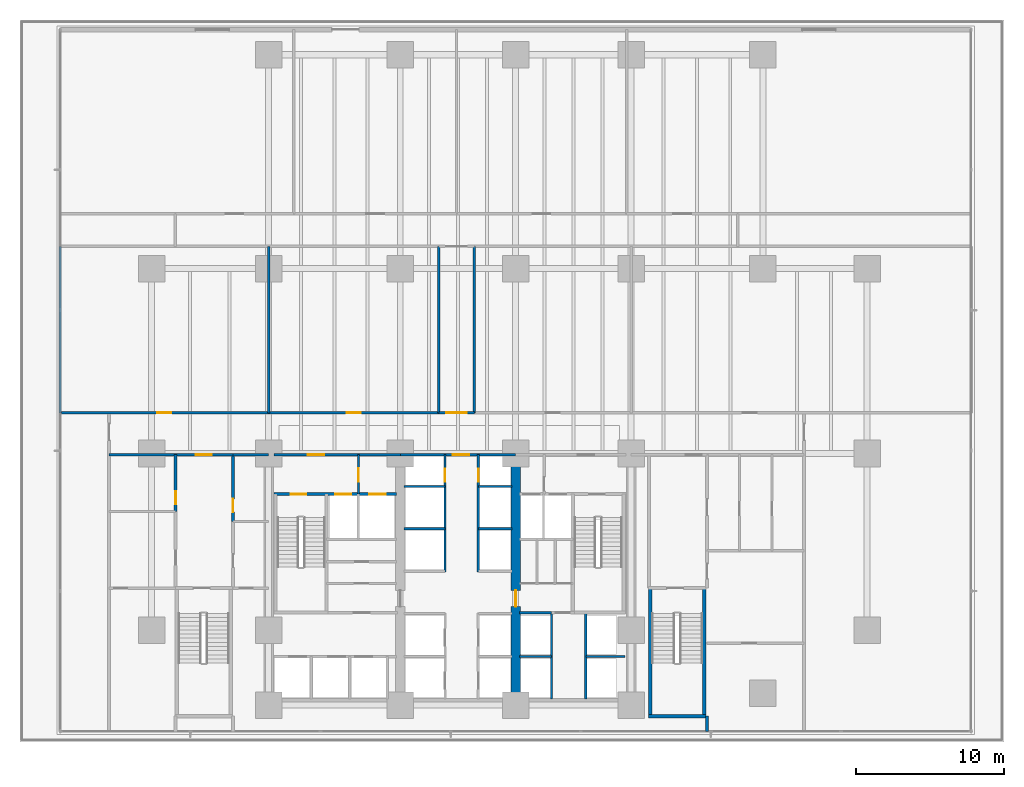
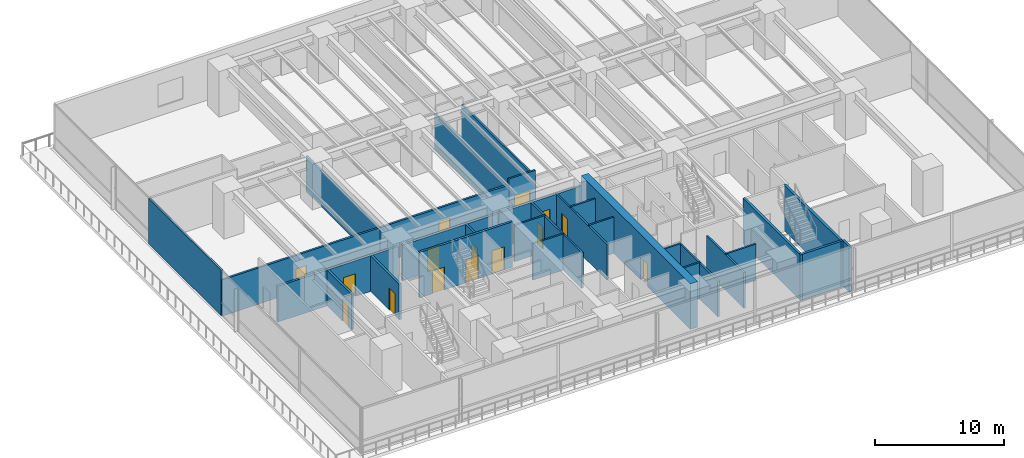
# One storey, part 11 of 26: 33 walls, 15 doors, 15 openings.
"""IFC4 building model written with IfcOpenShell, lengths in metres."""

from ifc_helpers import new_model, si_unit, direction, frame, frame_2d, origin, place, context, subcontext, project, spatial, rectangle, extrude, material, layer, layer_set, type_object, element, fill, save


model = new_model("IFC4")

# Units and contexts
model_context = context("Model", 3, precision=1e-05, world=origin(), true_north=direction((0.0, 1.0)))
body_context = subcontext(model_context, "Body", "Model", "MODEL_VIEW")
ifc_project = project(units=[si_unit("LENGTHUNIT", "METRE"), si_unit("AREAUNIT", "SQUARE_METRE"), si_unit("VOLUMEUNIT", "CUBIC_METRE"), si_unit("PLANEANGLEUNIT", "RADIAN"), si_unit("MASSUNIT", "GRAM", prefix="KILO")], contexts=[model_context])

# Site, building, storey
site_placement = place(None, origin())
site = spatial("IfcSite", under=ifc_project, at=site_placement, CompositionType="ELEMENT")
building_placement = place(site_placement, origin())
building = spatial("IfcBuilding", under=site, at=building_placement, Name="Qalmaran Belvedere Hotel", CompositionType="ELEMENT")
storey_placement = place(building_placement, frame((0.0, 0.0, 19.199951171875)))
storey = spatial("IfcBuildingStorey", under=building, at=storey_placement, Name="L04", CompositionType="ELEMENT", Elevation=19.199951171875)

# Wall, opening, door
ifc_material_1 = material(Name="Concrete C60/75", Category="concrete")
ifc_layer_1 = layer(ifc_material_1, 0.64990234375, Name="Concrete C60/75")
ifc_layer_set_1 = layer_set([ifc_layer_1], Name="Concrete C60/75")
wall_type_1 = type_object("IfcWallType", Name="WL-CORE-650-C60", PredefinedType="SHEAR", material=ifc_layer_set_1)
wall_1_placement = place(storey_placement, frame((37.0, 3.5, 0.0), z_axis=(0.0, 0.0, 1.0), x_axis=(0.0, 1.0, 0.0)))
wall_1 = element("IfcWall", 1, at=wall_1_placement, inside=storey, type_object=wall_type_1, Name="L04 Core East Spine Shear Wall", PredefinedType="SHEAR", context=body_context, shape_type="SweptSolid", body=[
    extrude(rectangle(XDim=16.89990234375, YDim=0.64990234375, at=frame_2d((8.449951171875, 0.0))), origin(), (0.0, 0.0, 1.0), 4.300048828125),
])
opening_1_placement = place(wall_1_placement, frame((6.64990234375, 0.0, 0.0)))
opening_1 = element("IfcOpeningElement", 2, at=opening_1_placement, cuts=wall_1, Name="Opening FD90", PredefinedType="OPENING", context=body_context, shape_type="SweptSolid", body=[
    extrude(rectangle(XDim=1.10009765625, YDim=2.14990234375, at=frame_2d((0.550048828125, 1.074951171875))), frame((0.0, 0.3349609375, 0.0), z_axis=(0.0, -1.0, 0.0), x_axis=(1.0, 0.0, 0.0)), (0.0, 0.0, 1.0), 0.669921875),
])
ifc_material_2 = material(Name="Steel S355JR", Category="steel")
door_type_1 = type_object("IfcDoorType", Name="DR-FD90-1100X2150", OperationType="NOTDEFINED", PredefinedType="DOOR", material=ifc_material_2)
door_1_placement = place(opening_1_placement, origin())
door_1 = element("IfcDoor", 3, at=door_1_placement, inside=storey, type_object=door_type_1, Name="L04 Core East Cross-Lobby Door", OperationType="SINGLE_SWING_LEFT", OverallHeight=2.14990234375, OverallWidth=1.10009765625, PredefinedType="DOOR", context=body_context, shape_type="SweptSolid", body=[
    extrude(rectangle(XDim=1.10009765625, YDim=2.14990234375, at=frame_2d((0.550048828125, 1.074951171875))), frame((0.0, 0.02490234375, 0.0), z_axis=(0.0, -1.0, 0.0), x_axis=(1.0, 0.0, 0.0)), (0.0, 0.0, 1.0), 0.050048828125),
])
fill(opening_1, door_1)

# Walls
ifc_material_3 = material(Name="Gypsum Stud Partition")
ifc_layer_2 = layer(ifc_material_3, 0.14990234375, Name="Gypsum Stud Partition")
ifc_layer_set_2 = layer_set([ifc_layer_2], Name="Gypsum Stud Partition")
wall_type_2 = type_object("IfcWallType", Name="WL-INT-150-EI120", PredefinedType="PARTITIONING", material=ifc_layer_set_2)
wall_2_placement = place(storey_placement, frame((37.25, 6.780029296875, 0.0), z_axis=(0.0, 0.0, 1.0), x_axis=(1.0, 0.0, 0.0)))
element("IfcWall", 4, at=wall_2_placement, inside=storey, type_object=wall_type_2, Name="L04 Partition WL-PHMW-L04", PredefinedType="PARTITIONING", context=body_context, shape_type="SweptSolid", body=[
    extrude(rectangle(XDim=2.169921875, YDim=0.14990234375, at=frame_2d((1.0849609375, 0.0))), origin(), (0.0, 0.0, 1.0), 3.429931640625),
])
wall_3_placement = place(storey_placement, frame((41.739990234375, 6.780029296875, 0.0), z_axis=(0.0, 0.0, 1.0), x_axis=(1.0, 0.0, 0.0)))
element("IfcWall", 5, at=wall_3_placement, inside=storey, type_object=wall_type_2, Name="L04 Partition WL-PHME-L04", PredefinedType="PARTITIONING", context=body_context, shape_type="SweptSolid", body=[
    extrude(rectangle(XDim=2.659912109375, YDim=0.14990234375, at=frame_2d((1.330078125, 0.0))), origin(), (0.0, 0.0, 1.0), 3.429931640625),
])
wall_4_placement = place(storey_placement, frame((29.449951171875, 15.419921875, 0.0), z_axis=(0.0, 0.0, 1.0), x_axis=(1.0, 0.0, 0.0)))
element("IfcWall", 6, at=wall_4_placement, inside=storey, type_object=wall_type_2, Name="L04 Partition WL-PMW-L04-154", PredefinedType="PARTITIONING", context=body_context, shape_type="SweptSolid", body=[
    extrude(rectangle(XDim=2.77001953125, YDim=0.14990234375, at=frame_2d((1.385009765625, 0.0))), origin(), (0.0, 0.0, 1.0), 3.429931640625),
])
wall_5_placement = place(storey_placement, frame((34.47998046875, 15.419921875, 0.0), z_axis=(0.0, 0.0, 1.0), x_axis=(1.0, 0.0, 0.0)))
element("IfcWall", 7, at=wall_5_placement, inside=storey, type_object=wall_type_2, Name="L04 Partition WL-PME-L04-154", PredefinedType="PARTITIONING", context=body_context, shape_type="SweptSolid", body=[
    extrude(rectangle(XDim=2.27001953125, YDim=0.14990234375, at=frame_2d((1.135009765625, 0.0))), origin(), (0.0, 0.0, 1.0), 3.429931640625),
])
wall_6_placement = place(storey_placement, frame((29.449951171875, 18.280029296875, 0.0), z_axis=(0.0, 0.0, 1.0), x_axis=(1.0, 0.0, 0.0)))
element("IfcWall", 8, at=wall_6_placement, inside=storey, type_object=wall_type_2, Name="L04 Partition WL-PMW-L04-182", PredefinedType="PARTITIONING", context=body_context, shape_type="SweptSolid", body=[
    extrude(rectangle(XDim=2.77001953125, YDim=0.14990234375, at=frame_2d((1.385009765625, 0.0))), origin(), (0.0, 0.0, 1.0), 3.429931640625),
])
wall_7_placement = place(storey_placement, frame((34.47998046875, 18.280029296875, 0.0), z_axis=(0.0, 0.0, 1.0), x_axis=(1.0, 0.0, 0.0)))
element("IfcWall", 9, at=wall_7_placement, inside=storey, type_object=wall_type_2, Name="L04 Partition WL-PME-L04-182", PredefinedType="PARTITIONING", context=body_context, shape_type="SweptSolid", body=[
    extrude(rectangle(XDim=2.27001953125, YDim=0.14990234375, at=frame_2d((1.135009765625, 0.0))), origin(), (0.0, 0.0, 1.0), 3.429931640625),
])

# Wall, opening, door
ifc_layer_3 = layer(ifc_material_3, 0.159912109375, Name="Gypsum Stud Partition")
ifc_layer_set_3 = layer_set([ifc_layer_3], Name="Gypsum Stud Partition")
wall_type_3 = type_object("IfcWallType", Name="WL-INT-160-EI120", PredefinedType="PARTITIONING", material=ifc_layer_set_3)
wall_8_placement = place(storey_placement, frame((26.3798828125, 17.760009765625, 0.0), z_axis=(0.0, 0.0, 1.0), x_axis=(0.0, 1.0, 0.0)))
wall_8 = element("IfcWall", 10, at=wall_8_placement, inside=storey, type_object=wall_type_3, Name="L04 Partition WL-FFSV1-L04", PredefinedType="PARTITIONING", context=body_context, shape_type="SweptSolid", body=[
    extrude(rectangle(XDim=2.659912109375, YDim=0.159912109375, at=frame_2d((1.330078125, 0.0))), origin(), (0.0, 0.0, 1.0), 3.373046875),
])
opening_2_placement = place(wall_8_placement, frame((0.85009765625, 0.0, 0.0)))
opening_2 = element("IfcOpeningElement", 11, at=opening_2_placement, cuts=wall_8, Name="Opening FD60B", PredefinedType="OPENING", context=body_context, shape_type="SweptSolid", body=[
    extrude(rectangle(XDim=0.8798828125, YDim=2.080078125, at=frame_2d((0.43994140625, 1.0400390625))), frame((0.0, 0.08984375, 0.0), z_axis=(0.0, -1.0, 0.0), x_axis=(1.0, 0.0, 0.0)), (0.0, 0.0, 1.0), 0.179931640625),
])
door_type_2 = type_object("IfcDoorType", Name="DR-FD60B-880X2080", OperationType="NOTDEFINED", PredefinedType="DOOR", material=ifc_material_2)
door_2_placement = place(opening_2_placement, origin())
door_2 = element("IfcDoor", 12, at=door_2_placement, inside=storey, type_object=door_type_2, Name="L04 Service Lobby West Door", OperationType="SINGLE_SWING_RIGHT", OverallHeight=2.080078125, OverallWidth=0.8798828125, PredefinedType="DOOR", context=body_context, shape_type="SweptSolid", body=[
    extrude(rectangle(XDim=0.8798828125, YDim=2.080078125, at=frame_2d((0.43994140625, 1.0400390625))), frame((0.0, 0.02490234375, 0.0), z_axis=(0.0, -1.0, 0.0), x_axis=(1.0, 0.0, 0.0)), (0.0, 0.0, 1.0), 0.050048828125),
])
fill(opening_2, door_2)

# Walls
for number, where, z_axis, x_axis, name in (
    (13, (39.419921875, 3.89990234375, 0.0), (0.0, 0.0, 1.0), (0.0, 1.0, 0.0), "L04 Partition WL-PHW-L04"),
    (14, (41.739990234375, 3.89990234375, 0.0), (0.0, 0.0, 1.0), (0.0, 1.0, 0.0), "L04 Partition WL-PHE-L04"),
):
    element("IfcWall", number, at=place(storey_placement, frame(where, z_axis=z_axis, x_axis=x_axis)), inside=storey, type_object=wall_type_3, Name=name, PredefinedType="PARTITIONING", context=body_context, shape_type="SweptSolid", body=[
        extrude(rectangle(XDim=5.840087890625, YDim=0.159912109375, at=frame_2d((2.919921875, 0.0))), origin(), (0.0, 0.0, 1.0), 3.373046875),
    ])
wall_9_placement = place(storey_placement, frame((37.25, 9.739990234375, 0.0), z_axis=(0.0, 0.0, 1.0), x_axis=(1.0, 0.0, 0.0)))
element("IfcWall", 15, at=wall_9_placement, inside=storey, type_object=wall_type_3, Name="L04 Partition WL-PHNW-L04", PredefinedType="PARTITIONING", context=body_context, shape_type="SweptSolid", body=[
    extrude(rectangle(XDim=2.169921875, YDim=0.159912109375, at=frame_2d((1.0849609375, 0.0))), origin(), (0.0, 0.0, 1.0), 3.429931640625),
])

# Wall, opening, door
wall_10_placement = place(storey_placement, frame((32.219970703125, 12.5, 0.0), z_axis=(0.0, 0.0, 1.0), x_axis=(0.0, 1.0, 0.0)))
wall_10 = element("IfcWall", 16, at=wall_10_placement, inside=storey, type_object=wall_type_3, Name="L04 Partition WL-CLBWN-L04", PredefinedType="PARTITIONING", context=body_context, shape_type="SweptSolid", body=[
    extrude(rectangle(XDim=7.919921875, YDim=0.159912109375, at=frame_2d((3.9599609375, 0.0))), origin(), (0.0, 0.0, 1.0), 3.373046875),
])
opening_3_placement = place(wall_10_placement, frame((6.10009765625, 0.0, 0.0)))
opening_3 = element("IfcOpeningElement", 17, at=opening_3_placement, cuts=wall_10, Name="Opening FD60B", PredefinedType="OPENING", context=body_context, shape_type="SweptSolid", body=[
    extrude(rectangle(XDim=0.8798828125, YDim=2.080078125, at=frame_2d((0.43994140625, 1.0400390625))), frame((0.0, 0.08984375, 0.0), z_axis=(0.0, -1.0, 0.0), x_axis=(1.0, 0.0, 0.0)), (0.0, 0.0, 1.0), 0.179931640625),
])
door_3_placement = place(opening_3_placement, origin())
door_3 = element("IfcDoor", 18, at=door_3_placement, inside=storey, type_object=door_type_2, Name="L04 West Riser Access Door", OperationType="SINGLE_SWING_RIGHT", OverallHeight=2.080078125, OverallWidth=0.8798828125, PredefinedType="DOOR", context=body_context, shape_type="SweptSolid", body=[
    extrude(rectangle(XDim=0.8798828125, YDim=2.080078125, at=frame_2d((0.43994140625, 1.0400390625))), frame((0.0, 0.02490234375, 0.0), z_axis=(0.0, -1.0, 0.0), x_axis=(1.0, 0.0, 0.0)), (0.0, 0.0, 1.0), 0.050048828125),
])
fill(opening_3, door_3)

wall_11_placement = place(storey_placement, frame((34.47998046875, 12.5, 0.0), z_axis=(0.0, 0.0, 1.0), x_axis=(0.0, 1.0, 0.0)))
wall_11 = element("IfcWall", 19, at=wall_11_placement, inside=storey, type_object=wall_type_3, Name="L04 Partition WL-CLBEN-L04", PredefinedType="PARTITIONING", context=body_context, shape_type="SweptSolid", body=[
    extrude(rectangle(XDim=7.919921875, YDim=0.159912109375, at=frame_2d((3.9599609375, 0.0))), origin(), (0.0, 0.0, 1.0), 3.373046875),
])
opening_4_placement = place(wall_11_placement, frame((6.97998046875, 0.0, 0.0), z_axis=(0.0, 0.0, 1.0), x_axis=(-1.0, 0.0, 0.0)))
opening_4 = element("IfcOpeningElement", 20, at=opening_4_placement, cuts=wall_11, Name="Opening FD60B", PredefinedType="OPENING", context=body_context, shape_type="SweptSolid", body=[
    extrude(rectangle(XDim=0.8798828125, YDim=2.080078125, at=frame_2d((0.43994140625, 1.0400390625))), frame((0.0, 0.08984375, 0.0), z_axis=(0.0, -1.0, 0.0), x_axis=(1.0, 0.0, 0.0)), (0.0, 0.0, 1.0), 0.179931640625),
])
door_4_placement = place(opening_4_placement, origin())
door_4 = element("IfcDoor", 21, at=door_4_placement, inside=storey, type_object=door_type_2, Name="L04 East Riser Access Door", OperationType="SINGLE_SWING_LEFT", OverallHeight=2.080078125, OverallWidth=0.8798828125, PredefinedType="DOOR", context=body_context, shape_type="SweptSolid", body=[
    extrude(rectangle(XDim=0.8798828125, YDim=2.080078125, at=frame_2d((0.43994140625, 1.0400390625))), frame((0.0, 0.02490234375, 0.0), z_axis=(0.0, -1.0, 0.0), x_axis=(1.0, 0.0, 0.0)), (0.0, 0.0, 1.0), 0.050048828125),
])
fill(opening_4, door_4)

ifc_layer_4 = layer(ifc_material_3, 0.159912109375, Name="Gypsum Stud Partition")
ifc_layer_set_4 = layer_set([ifc_layer_4], Name="Gypsum Stud Partition")
wall_type_4 = type_object("IfcWallType", Name="WL-INT-160-EI60", PredefinedType="PARTITIONING", material=ifc_layer_set_4)
wall_12_placement = place(storey_placement, frame((31.800048828125, 23.25, 0.0), z_axis=(0.0, 0.0, 1.0), x_axis=(1.0, 0.0, 0.0)))
wall_12 = element("IfcWall", 22, at=wall_12_placement, inside=storey, type_object=wall_type_4, Name="L04 Partition WL-L04-NALS", PredefinedType="PARTITIONING", context=body_context, shape_type="SweptSolid", body=[
    extrude(rectangle(XDim=2.39990234375, YDim=0.159912109375, at=frame_2d((1.199951171875, 0.0))), origin(), (0.0, 0.0, 1.0), 3.98193359375),
])
opening_5_placement = place(wall_12_placement, frame((0.5, 0.0, 0.0)))
opening_5 = element("IfcOpeningElement", 23, at=opening_5_placement, cuts=wall_12, Name="Opening FD90D", PredefinedType="OPENING", context=body_context, shape_type="SweptSolid", body=[
    extrude(rectangle(XDim=1.39990234375, YDim=2.199951171875, at=frame_2d((0.699951171875, 1.10009765625))), frame((0.0, 0.08984375, 0.0), z_axis=(0.0, -1.0, 0.0), x_axis=(1.0, 0.0, 0.0)), (0.0, 0.0, 1.0), 0.179931640625),
])
door_type_3 = type_object("IfcDoorType", Name="DR-FD90D-1400X2200", OperationType="NOTDEFINED", PredefinedType="DOOR", material=ifc_material_2)
door_5_placement = place(opening_5_placement, origin())
door_5 = element("IfcDoor", 24, at=door_5_placement, inside=storey, type_object=door_type_3, Name="L04 Atrium Link South Door", OperationType="DOUBLE_DOOR_SINGLE_SWING", OverallHeight=2.199951171875, OverallWidth=1.39990234375, PredefinedType="DOOR", context=body_context, shape_type="SweptSolid", body=[
    extrude(rectangle(XDim=1.39990234375, YDim=2.199951171875, at=frame_2d((0.699951171875, 1.10009765625))), frame((0.0, 0.02490234375, 0.0), z_axis=(0.0, -1.0, 0.0), x_axis=(1.0, 0.0, 0.0)), (0.0, 0.0, 1.0), 0.050048828125),
])
fill(opening_5, door_5)

# Walls
wall_13_placement = place(storey_placement, frame((6.219970703125, 23.25, 0.0), z_axis=(0.0, 0.0, 1.0), x_axis=(0.0, 1.0, 0.0)))
element("IfcWall", 25, at=wall_13_placement, inside=storey, type_object=wall_type_4, Name="L04 Partition WL-L04-PMWVL", PredefinedType="PARTITIONING", context=body_context, shape_type="SweptSolid", body=[
    extrude(rectangle(XDim=11.25, YDim=0.159912109375, at=frame_2d((5.625, 0.0))), origin(), (0.0, 0.0, 1.0), 4.300048828125),
])
for number, where, z_axis, x_axis, name in (
    (26, (20.300048828125, 23.25, 0.0), (0.0, 0.0, 1.0), (0.0, 1.0, 0.0), "L04 Partition WL-L04-PMWVR1"),
    (27, (31.800048828125, 23.25, 0.0), (0.0, 0.0, 1.0), (0.0, 1.0, 0.0), "L04 Partition WL-L04-PMWVR2"),
    (28, (34.199951171875, 23.25, 0.0), (0.0, 0.0, 1.0), (0.0, 1.0, 0.0), "L04 Partition WL-L04-PMEVL"),
):
    element("IfcWall", number, at=place(storey_placement, frame(where, z_axis=z_axis, x_axis=x_axis)), inside=storey, type_object=wall_type_4, Name=name, PredefinedType="PARTITIONING", context=body_context, shape_type="SweptSolid", body=[
        extrude(rectangle(XDim=11.25, YDim=0.159912109375, at=frame_2d((5.625, 0.0))), origin(), (0.0, 0.0, 1.0), 3.373046875),
    ])
ifc_layer_5 = layer(ifc_material_3, 0.179931640625, Name="Gypsum Stud Partition")
ifc_layer_set_5 = layer_set([ifc_layer_5], Name="Gypsum Stud Partition")
wall_type_5 = type_object("IfcWallType", Name="WL-INT-180-EI60", PredefinedType="PARTITIONING", material=ifc_layer_set_5)
wall_14_placement = place(storey_placement, frame((17.89990234375, 20.419921875, 0.0), z_axis=(0.0, 0.0, 1.0), x_axis=(1.0, 0.0, 0.0)))
element("IfcWall", 29, at=wall_14_placement, inside=storey, type_object=wall_type_5, Name="L04 Partition WL-L04-SFGN", PredefinedType="PARTITIONING", context=body_context, shape_type="SweptSolid", body=[
    extrude(rectangle(XDim=2.400146484375, YDim=0.179931640625, at=frame_2d((1.2001953125, 0.0))), origin(), (0.0, 0.0, 1.0), 3.373046875),
])

# Wall, opening, door
wall_15_placement = place(storey_placement, frame((6.219970703125, 23.25, 0.0), z_axis=(0.0, 0.0, 1.0), x_axis=(1.0, 0.0, 0.0)))
wall_15 = element("IfcWall", 30, at=wall_15_placement, inside=storey, type_object=wall_type_5, Name="L04 Partition WL-L04-PMWD1", PredefinedType="PARTITIONING", context=body_context, shape_type="SweptSolid", body=[
    extrude(rectangle(XDim=14.080078125, YDim=0.179931640625, at=frame_2d((7.0400390625, 0.0))), origin(), (0.0, 0.0, 1.0), 3.429931640625),
])
opening_6_placement = place(wall_15_placement, frame((6.56494140625, 0.0, 0.0)))
opening_6 = element("IfcOpeningElement", 31, at=opening_6_placement, cuts=wall_15, Name="Opening FD60", PredefinedType="OPENING", context=body_context, shape_type="SweptSolid", body=[
    extrude(rectangle(XDim=0.949951171875, YDim=2.14990234375, at=frame_2d((0.47509765625, 1.074951171875))), frame((0.0, 0.10009765625, 0.0), z_axis=(0.0, -1.0, 0.0), x_axis=(1.0, 0.0, 0.0)), (0.0, 0.0, 1.0), 0.199951171875),
])
ifc_material_4 = material(Name="Engineered Oak Veneer")
door_type_4 = type_object("IfcDoorType", Name="DR-FD60-950X2150", OperationType="NOTDEFINED", PredefinedType="DOOR", material=ifc_material_4)
door_6_placement = place(opening_6_placement, origin())
door_6 = element("IfcDoor", 32, at=door_6_placement, inside=storey, type_object=door_type_4, Name="L04 Spa Wellness Lounge Door", OperationType="SINGLE_SWING_LEFT", OverallHeight=2.14990234375, OverallWidth=0.949951171875, PredefinedType="DOOR", context=body_context, shape_type="SweptSolid", body=[
    extrude(rectangle(XDim=0.949951171875, YDim=2.14990234375, at=frame_2d((0.47509765625, 1.074951171875))), frame((0.0, 0.02490234375, 0.0), z_axis=(0.0, -1.0, 0.0), x_axis=(1.0, 0.0, 0.0)), (0.0, 0.0, 1.0), 0.050048828125),
])
fill(opening_6, door_6)

wall_16_placement = place(storey_placement, frame((20.300048828125, 23.25, 0.0), z_axis=(0.0, 0.0, 1.0), x_axis=(1.0, 0.0, 0.0)))
wall_16 = element("IfcWall", 33, at=wall_16_placement, inside=storey, type_object=wall_type_5, Name="L04 Partition WL-L04-PMWD2", PredefinedType="PARTITIONING", context=body_context, shape_type="SweptSolid", body=[
    extrude(rectangle(XDim=11.5, YDim=0.179931640625, at=frame_2d((5.75, 0.0))), origin(), (0.0, 0.0, 1.0), 3.429931640625),
])
opening_7_placement = place(wall_16_placement, frame((5.27490234375, 0.0, 0.0)))
opening_7 = element("IfcOpeningElement", 34, at=opening_7_placement, cuts=wall_16, Name="Opening FD60", PredefinedType="OPENING", context=body_context, shape_type="SweptSolid", body=[
    extrude(rectangle(XDim=0.949951171875, YDim=2.14990234375, at=frame_2d((0.47509765625, 1.074951171875))), frame((0.0, 0.10009765625, 0.0), z_axis=(0.0, -1.0, 0.0), x_axis=(1.0, 0.0, 0.0)), (0.0, 0.0, 1.0), 0.199951171875),
])
door_7_placement = place(opening_7_placement, origin())
door_7 = element("IfcDoor", 35, at=door_7_placement, inside=storey, type_object=door_type_4, Name="L04 Hydrotherapy Relaxation Hall Door", OperationType="SINGLE_SWING_RIGHT", OverallHeight=2.14990234375, OverallWidth=0.949951171875, PredefinedType="DOOR", context=body_context, shape_type="SweptSolid", body=[
    extrude(rectangle(XDim=0.949951171875, YDim=2.14990234375, at=frame_2d((0.47509765625, 1.074951171875))), frame((0.0, 0.02490234375, 0.0), z_axis=(0.0, -1.0, 0.0), x_axis=(1.0, 0.0, 0.0)), (0.0, 0.0, 1.0), 0.050048828125),
])
fill(opening_7, door_7)

ifc_material_5 = material(Name="Concrete C30/37 Blockwork", Category="masonry")
ifc_layer_6 = layer(ifc_material_5, 0.199951171875, Name="Concrete C30/37 Blockwork")
ifc_layer_set_6 = layer_set([ifc_layer_6], Name="Concrete C30/37 Blockwork")
wall_type_6 = type_object("IfcWallType", Name="WL-INT-200-EI120", PredefinedType="PARTITIONING", material=ifc_layer_set_6)
wall_17_placement = place(storey_placement, frame((20.64990234375, 20.419921875, 0.0), z_axis=(0.0, 0.0, 1.0), x_axis=(1.0, 0.0, 0.0)))
wall_17 = element("IfcWall", 36, at=wall_17_placement, inside=storey, type_object=wall_type_6, Name="L04 Partition WL-CN1A-L04", PredefinedType="PARTITIONING", context=body_context, shape_type="SweptSolid", body=[
    extrude(rectangle(XDim=5.72998046875, YDim=0.199951171875, at=frame_2d((2.864990234375, 0.0))), origin(), (0.0, 0.0, 1.0), 3.373046875),
])
opening_8_placement = place(wall_17_placement, frame((2.300048828125, 0.0, 0.0)))
opening_8 = element("IfcOpeningElement", 37, at=opening_8_placement, cuts=wall_17, Name="Opening FD90", PredefinedType="OPENING", context=body_context, shape_type="SweptSolid", body=[
    extrude(rectangle(XDim=1.10009765625, YDim=2.14990234375, at=frame_2d((0.550048828125, 1.074951171875))), frame((0.0, 0.10986328125, 0.0), z_axis=(0.0, -1.0, 0.0), x_axis=(1.0, 0.0, 0.0)), (0.0, 0.0, 1.0), 0.219970703125),
])
door_8_placement = place(opening_8_placement, origin())
door_8 = element("IfcDoor", 38, at=door_8_placement, inside=storey, type_object=door_type_1, Name="L04 FF1 Lobby Corridor Door", OperationType="SINGLE_SWING_RIGHT", OverallHeight=2.14990234375, OverallWidth=1.10009765625, PredefinedType="DOOR", context=body_context, shape_type="SweptSolid", body=[
    extrude(rectangle(XDim=1.10009765625, YDim=2.14990234375, at=frame_2d((0.550048828125, 1.074951171875))), frame((0.0, 0.02490234375, 0.0), z_axis=(0.0, -1.0, 0.0), x_axis=(1.0, 0.0, 0.0)), (0.0, 0.0, 1.0), 0.050048828125),
])
fill(opening_8, door_8)

# Wall
wall_18_placement = place(storey_placement, frame((26.3798828125, 20.419921875, 0.0), z_axis=(0.0, 0.0, 1.0), x_axis=(1.0, 0.0, 0.0)))
element("IfcWall", 39, at=wall_18_placement, inside=storey, type_object=wall_type_6, Name="L04 Partition WL-CN1B-L04", PredefinedType="PARTITIONING", context=body_context, shape_type="SweptSolid", body=[
    extrude(rectangle(XDim=2.820068359375, YDim=0.199951171875, at=frame_2d((1.41015625, 0.0))), origin(), (0.0, 0.0, 1.0), 3.373046875),
])

# Wall, opening, door
wall_19_placement = place(storey_placement, frame((29.199951171875, 20.419921875, 0.0), z_axis=(0.0, 0.0, 1.0), x_axis=(1.0, 0.0, 0.0)))
wall_19 = element("IfcWall", 40, at=wall_19_placement, inside=storey, type_object=wall_type_6, Name="L04 Partition WL-CN2-L04", PredefinedType="PARTITIONING", context=body_context, shape_type="SweptSolid", body=[
    extrude(rectangle(XDim=7.800048828125, YDim=0.199951171875, at=frame_2d((3.89990234375, 0.0))), origin(), (0.0, 0.0, 1.0), 3.373046875),
])
opening_9_placement = place(wall_19_placement, frame((3.550048828125, 0.0, 0.0)))
opening_9 = element("IfcOpeningElement", 41, at=opening_9_placement, cuts=wall_19, Name="Opening FD90", PredefinedType="OPENING", context=body_context, shape_type="SweptSolid", body=[
    extrude(rectangle(XDim=1.10009765625, YDim=2.14990234375, at=frame_2d((0.550048828125, 1.074951171875))), frame((0.0, 0.10986328125, 0.0), z_axis=(0.0, -1.0, 0.0), x_axis=(1.0, 0.0, 0.0)), (0.0, 0.0, 1.0), 0.219970703125),
])
door_9_placement = place(opening_9_placement, origin())
door_9 = element("IfcDoor", 42, at=door_9_placement, inside=storey, type_object=door_type_1, Name="L04 Central Lift Lobby Door", OperationType="SINGLE_SWING_LEFT", OverallHeight=2.14990234375, OverallWidth=1.10009765625, PredefinedType="DOOR", context=body_context, shape_type="SweptSolid", body=[
    extrude(rectangle(XDim=1.10009765625, YDim=2.14990234375, at=frame_2d((0.550048828125, 1.074951171875))), frame((0.0, 0.02490234375, 0.0), z_axis=(0.0, -1.0, 0.0), x_axis=(1.0, 0.0, 0.0)), (0.0, 0.0, 1.0), 0.050048828125),
])
fill(opening_9, door_9)

wall_20_placement = place(storey_placement, frame((14.02001953125, 16.580078125, 0.0), z_axis=(0.0, 0.0, 1.0), x_axis=(0.0, 1.0, 0.0)))
wall_20 = element("IfcWall", 43, at=wall_20_placement, inside=storey, type_object=wall_type_6, Name="L04 Partition WL-L04-STPWA", PredefinedType="PARTITIONING", context=body_context, shape_type="SweptSolid", body=[
    extrude(rectangle(XDim=3.83984375, YDim=0.199951171875, at=frame_2d((1.919921875, 0.0))), origin(), (0.0, 0.0, 1.0), 3.373046875),
])
opening_10_placement = place(wall_20_placement, frame((0.5, 0.0, 0.0)))
opening_10 = element("IfcOpeningElement", 44, at=opening_10_placement, cuts=wall_20, Name="Opening FD60B", PredefinedType="OPENING", context=body_context, shape_type="SweptSolid", body=[
    extrude(rectangle(XDim=0.8798828125, YDim=2.080078125, at=frame_2d((0.43994140625, 1.0400390625))), frame((0.0, 0.10986328125, 0.0), z_axis=(0.0, -1.0, 0.0), x_axis=(1.0, 0.0, 0.0)), (0.0, 0.0, 1.0), 0.219970703125),
])
door_10_placement = place(opening_10_placement, origin())
door_10 = element("IfcDoor", 45, at=door_10_placement, inside=storey, type_object=door_type_2, Name="L04 Accessible WC Door", OperationType="SINGLE_SWING_LEFT", OverallHeight=2.080078125, OverallWidth=0.8798828125, PredefinedType="DOOR", context=body_context, shape_type="SweptSolid", body=[
    extrude(rectangle(XDim=0.8798828125, YDim=2.080078125, at=frame_2d((0.43994140625, 1.0400390625))), frame((0.0, 0.02490234375, 0.0), z_axis=(0.0, -1.0, 0.0), x_axis=(1.0, 0.0, 0.0)), (0.0, 0.0, 1.0), 0.050048828125),
])
fill(opening_10, door_10)

wall_21_placement = place(storey_placement, frame((17.89990234375, 15.89990234375, 0.0), z_axis=(0.0, 0.0, 1.0), x_axis=(0.0, 1.0, 0.0)))
wall_21 = element("IfcWall", 46, at=wall_21_placement, inside=storey, type_object=wall_type_6, Name="L04 Partition WL-L04-STPW2B", PredefinedType="PARTITIONING", context=body_context, shape_type="SweptSolid", body=[
    extrude(rectangle(XDim=4.52001953125, YDim=0.199951171875, at=frame_2d((2.260009765625, 0.0))), origin(), (0.0, 0.0, 1.0), 3.373046875),
])
opening_11_placement = place(wall_21_placement, frame((1.52978515625, 0.0, 0.0), z_axis=(0.0, 0.0, 1.0), x_axis=(-1.0, 0.0, 0.0)))
opening_11 = element("IfcOpeningElement", 47, at=opening_11_placement, cuts=wall_21, Name="Opening FD60B", PredefinedType="OPENING", context=body_context, shape_type="SweptSolid", body=[
    extrude(rectangle(XDim=0.8798828125, YDim=2.080078125, at=frame_2d((0.43994140625, 1.0400390625))), frame((0.0, 0.10986328125, 0.0), z_axis=(0.0, -1.0, 0.0), x_axis=(1.0, 0.0, 0.0)), (0.0, 0.0, 1.0), 0.219970703125),
])
door_11_placement = place(opening_11_placement, origin())
door_11 = element("IfcDoor", 48, at=door_11_placement, inside=storey, type_object=door_type_2, Name="L04 Female WC Door", OperationType="SINGLE_SWING_RIGHT", OverallHeight=2.080078125, OverallWidth=0.8798828125, PredefinedType="DOOR", context=body_context, shape_type="SweptSolid", body=[
    extrude(rectangle(XDim=0.8798828125, YDim=2.080078125, at=frame_2d((0.43994140625, 1.0400390625))), frame((0.0, 0.02490234375, 0.0), z_axis=(0.0, -1.0, 0.0), x_axis=(1.0, 0.0, 0.0)), (0.0, 0.0, 1.0), 0.050048828125),
])
fill(opening_11, door_11)

# Wall
wall_22_placement = place(storey_placement, frame((9.52001953125, 20.419921875, 0.0), z_axis=(0.0, 0.0, 1.0), x_axis=(1.0, 0.0, 0.0)))
element("IfcWall", 49, at=wall_22_placement, inside=storey, type_object=wall_type_6, Name="L04 Partition WL-L04-CSW1", PredefinedType="PARTITIONING", context=body_context, shape_type="SweptSolid", body=[
    extrude(rectangle(XDim=4.5, YDim=0.199951171875, at=frame_2d((2.25, 0.0))), origin(), (0.0, 0.0, 1.0), 3.373046875),
])

# Wall, opening, door
wall_23_placement = place(storey_placement, frame((14.02001953125, 20.419921875, 0.0), z_axis=(0.0, 0.0, 1.0), x_axis=(1.0, 0.0, 0.0)))
wall_23 = element("IfcWall", 50, at=wall_23_placement, inside=storey, type_object=wall_type_6, Name="L04 Partition WL-L04-CSW2", PredefinedType="PARTITIONING", context=body_context, shape_type="SweptSolid", body=[
    extrude(rectangle(XDim=3.8798828125, YDim=0.199951171875, at=frame_2d((1.93994140625, 0.0))), origin(), (0.0, 0.0, 1.0), 3.373046875),
])
opening_12_placement = place(wall_23_placement, frame((2.4501953125, 0.0, 0.0), z_axis=(0.0, 0.0, 1.0), x_axis=(-1.0, 0.0, 0.0)))
opening_12 = element("IfcOpeningElement", 51, at=opening_12_placement, cuts=wall_23, Name="Opening FD90", PredefinedType="OPENING", context=body_context, shape_type="SweptSolid", body=[
    extrude(rectangle(XDim=1.10009765625, YDim=2.14990234375, at=frame_2d((0.550048828125, 1.074951171875))), frame((0.0, 0.10986328125, 0.0), z_axis=(0.0, -1.0, 0.0), x_axis=(1.0, 0.0, 0.0)), (0.0, 0.0, 1.0), 0.219970703125),
])
door_12_placement = place(opening_12_placement, origin())
door_12 = element("IfcDoor", 52, at=door_12_placement, inside=storey, type_object=door_type_1, Name="L04 West Stair Corridor Door", OperationType="SINGLE_SWING_RIGHT", OverallHeight=2.14990234375, OverallWidth=1.10009765625, PredefinedType="DOOR", context=body_context, shape_type="SweptSolid", body=[
    extrude(rectangle(XDim=1.10009765625, YDim=2.14990234375, at=frame_2d((0.550048828125, 1.074951171875))), frame((0.0, 0.02490234375, 0.0), z_axis=(0.0, -1.0, 0.0), x_axis=(1.0, 0.0, 0.0)), (0.0, 0.0, 1.0), 0.050048828125),
])
fill(opening_12, door_12)

# Wall
wall_24_placement = place(storey_placement, frame((49.919921875, 1.719970703125, 0.0), z_axis=(0.0, 0.0, 1.0), x_axis=(0.0, 1.0, 0.0)))
element("IfcWall", 53, at=wall_24_placement, inside=storey, type_object=wall_type_6, Name="L04 Partition WL-L04-STPE2S", PredefinedType="PARTITIONING", context=body_context, shape_type="SweptSolid", body=[
    extrude(rectangle(XDim=1.030029296875, YDim=0.199951171875, at=frame_2d((0.51513671875, 0.0))), origin(), (0.0, 0.0, 1.0), 4.300048828125),
])

# Wall, openings, doors
ifc_material_6 = material(Name="Concrete C50/60", Category="concrete")
ifc_layer_7 = layer(ifc_material_6, 0.2099609375, Name="Concrete C50/60")
ifc_layer_set_7 = layer_set([ifc_layer_7], Name="Concrete C50/60")
wall_type_7 = type_object("IfcWallType", Name="WL-STAIR-210-C50", PredefinedType="SHEAR", material=ifc_layer_set_7)
wall_25_placement = place(storey_placement, frame((20.64990234375, 17.7548828125, 0.0), z_axis=(0.0, 0.0, 1.0), x_axis=(1.0, 0.0, 0.0)))
wall_25 = element("IfcWall", 54, at=wall_25_placement, inside=storey, type_object=wall_type_7, Name="L04 West Lobby and Stair ST-1 North Bearing Wall", PredefinedType="SHEAR", context=body_context, shape_type="SweptSolid", body=[
    extrude(rectangle(XDim=8.300048828125, YDim=0.2099609375, at=frame_2d((4.14990234375, 0.0))), origin(), (0.0, 0.0, 1.0), 4.300048828125),
])
opening_13_placement = place(wall_25_placement, frame((2.199951171875, 0.0, 0.0), z_axis=(0.0, 0.0, 1.0), x_axis=(-1.0, 0.0, 0.0)))
opening_13 = element("IfcOpeningElement", 55, at=opening_13_placement, cuts=wall_25, Name="Opening FD90S2", PredefinedType="OPENING", context=body_context, shape_type="SweptSolid", body=[
    extrude(rectangle(XDim=1.050048828125, YDim=2.14990234375, at=frame_2d((0.52490234375, 1.074951171875))), frame((0.0, 0.114990234375, 0.0), z_axis=(0.0, -1.0, 0.0), x_axis=(1.0, 0.0, 0.0)), (0.0, 0.0, 1.0), 0.22998046875),
])
opening_14_placement = place(wall_25_placement, frame((4.14990234375, 0.0, 0.0)))
opening_14 = element("IfcOpeningElement", 56, at=opening_14_placement, cuts=wall_25, Name="Opening LD-FF", PredefinedType="OPENING", context=body_context, shape_type="SweptSolid", body=[
    extrude(rectangle(XDim=1.10009765625, YDim=2.179931640625, at=frame_2d((0.550048828125, 1.08984375))), frame((0.0, 0.114990234375, 0.0), z_axis=(0.0, -1.0, 0.0), x_axis=(1.0, 0.0, 0.0)), (0.0, 0.0, 1.0), 0.22998046875),
])
opening_15_placement = place(wall_25_placement, frame((6.449951171875, 0.0, 0.0)))
opening_15 = element("IfcOpeningElement", 57, at=opening_15_placement, cuts=wall_25, Name="Opening LD-SV", PredefinedType="OPENING", context=body_context, shape_type="SweptSolid", body=[
    extrude(rectangle(XDim=1.1201171875, YDim=2.199951171875, at=frame_2d((0.56005859375, 1.10009765625))), frame((0.0, 0.114990234375, 0.0), z_axis=(0.0, -1.0, 0.0), x_axis=(1.0, 0.0, 0.0)), (0.0, 0.0, 1.0), 0.22998046875),
])
door_type_5 = type_object("IfcDoorType", Name="DR-FD90S-1050X2150", OperationType="NOTDEFINED", PredefinedType="DOOR", material=ifc_material_2)
door_13_placement = place(opening_13_placement, origin())
door_13 = element("IfcDoor", 58, at=door_13_placement, inside=storey, type_object=door_type_5, Name="L04 Stair ST-1 Door", OperationType="SINGLE_SWING_RIGHT", OverallHeight=2.14990234375, OverallWidth=1.050048828125, PredefinedType="DOOR", context=body_context, shape_type="SweptSolid", body=[
    extrude(rectangle(XDim=1.050048828125, YDim=2.14990234375, at=frame_2d((0.52490234375, 1.074951171875))), frame((0.0, 0.02490234375, 0.0), z_axis=(0.0, -1.0, 0.0), x_axis=(1.0, 0.0, 0.0)), (0.0, 0.0, 1.0), 0.050048828125),
])
fill(opening_13, door_13)
ifc_material_7 = material(Name="Stainless Steel 1.4401", Category="steel")
door_type_6 = type_object("IfcDoorType", Name="DR-LIFT-FF-1100X2180", OperationType="DOUBLE_DOOR_SLIDING", PredefinedType="DOOR", material=ifc_material_7)
door_14_placement = place(opening_14_placement, origin())
door_14 = element("IfcDoor", 59, at=door_14_placement, inside=storey, type_object=door_type_6, Name="L04 FF1 Lift Landing Door", OperationType="DOUBLE_DOOR_SLIDING", OverallHeight=2.179931640625, OverallWidth=1.10009765625, PredefinedType="DOOR", context=body_context, shape_type="SweptSolid", body=[
    extrude(rectangle(XDim=1.10009765625, YDim=2.179931640625, at=frame_2d((0.550048828125, 1.08984375))), frame((0.0, 0.02490234375, 0.0), z_axis=(0.0, -1.0, 0.0), x_axis=(1.0, 0.0, 0.0)), (0.0, 0.0, 1.0), 0.050048828125),
])
fill(opening_14, door_14)
door_type_7 = type_object("IfcDoorType", Name="DR-LIFT-SV-1120X2200", OperationType="DOUBLE_DOOR_SLIDING", PredefinedType="DOOR", material=ifc_material_7)
door_15_placement = place(opening_15_placement, origin())
door_15 = element("IfcDoor", 60, at=door_15_placement, inside=storey, type_object=door_type_7, Name="L04 SV1 Lift Landing Door", OperationType="DOUBLE_DOOR_SLIDING", OverallHeight=2.199951171875, OverallWidth=1.1201171875, PredefinedType="DOOR", context=body_context, shape_type="SweptSolid", body=[
    extrude(rectangle(XDim=1.1201171875, YDim=2.199951171875, at=frame_2d((0.56005859375, 1.10009765625))), frame((0.0, 0.02490234375, 0.0), z_axis=(0.0, -1.0, 0.0), x_axis=(1.0, 0.0, 0.0)), (0.0, 0.0, 1.0), 0.050048828125),
])
fill(opening_15, door_15)

# Walls
for number, where, z_axis, x_axis, name in (
    (61, (46.094970703125, 2.639892578125, 0.0), (0.0, 0.0, 1.0), (0.0, 1.0, 0.0), "L04 Podium Stair STP2 West Bearing Wall"),
    (62, (49.7451171875, 2.639892578125, 0.0), (0.0, 0.0, 1.0), (0.0, 1.0, 0.0), "L04 Podium Stair STP2 East Bearing Wall"),
):
    element("IfcWall", number, at=place(storey_placement, frame(where, z_axis=z_axis, x_axis=x_axis)), inside=storey, type_object=wall_type_7, Name=name, PredefinedType="SHEAR", context=body_context, shape_type="SweptSolid", body=[
        extrude(rectangle(XDim=8.8701171875, YDim=0.2099609375, at=frame_2d((4.43505859375, 0.0))), origin(), (0.0, 0.0, 1.0), 4.300048828125),
    ])
wall_26_placement = place(storey_placement, frame((45.989990234375, 2.7451171875, 0.0), z_axis=(0.0, 0.0, 1.0), x_axis=(1.0, 0.0, 0.0)))
element("IfcWall", 63, at=wall_26_placement, inside=storey, type_object=wall_type_7, Name="L04 Podium Stair STP2 South Bearing Wall", PredefinedType="SHEAR", context=body_context, shape_type="SweptSolid", body=[
    extrude(rectangle(XDim=3.860107421875, YDim=0.2099609375, at=frame_2d((1.93017578125, 0.0))), origin(), (0.0, 0.0, 1.0), 4.300048828125),
])

save(model, "model.ifc")
